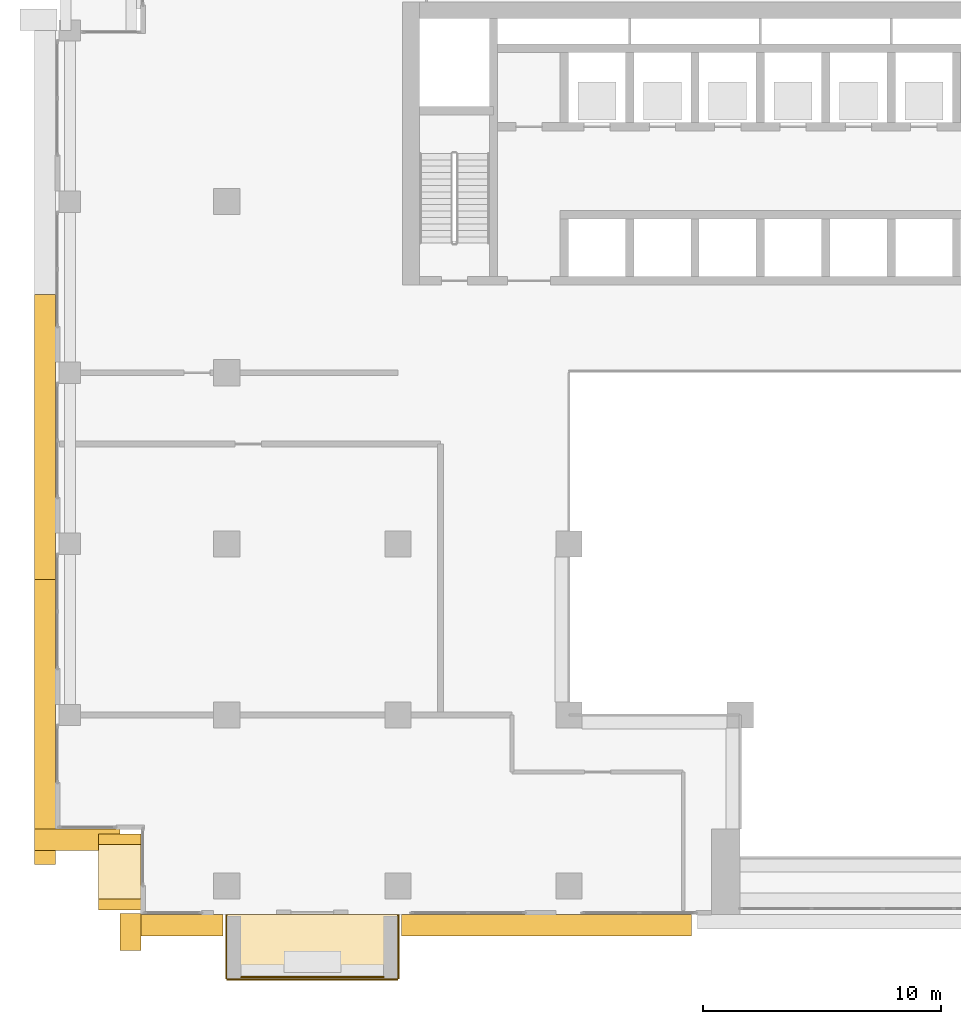
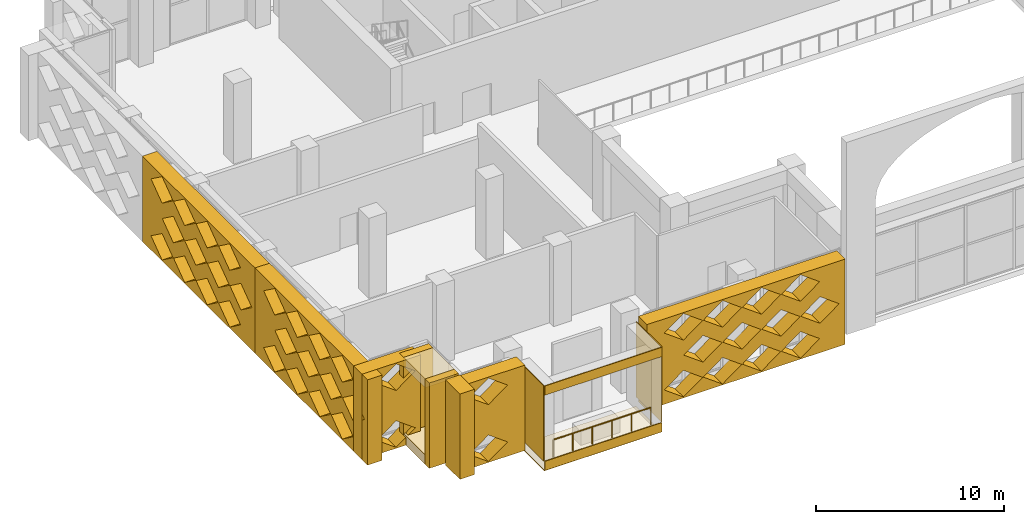
# One storey, part 18 of 25: 15 coverings, 1 railing.
"""IFC4 building model written with IfcOpenShell, lengths in metres."""

from ifc_helpers import new_model, si_unit, direction, frame, origin, origin_2d, place, context, subcontext, project, spatial, polyline, circle, outline, extrude, material, layer, layer_set, type_object, element, save


model = new_model("IFC4")

# Units and contexts
model_context = context("Model", 3, precision=1e-05, world=origin(), true_north=direction((0.0, 1.0)))
body_context = subcontext(model_context, "Body", "Model", "MODEL_VIEW")
ifc_project = project(units=[si_unit("LENGTHUNIT", "METRE"), si_unit("AREAUNIT", "SQUARE_METRE"), si_unit("VOLUMEUNIT", "CUBIC_METRE"), si_unit("PLANEANGLEUNIT", "RADIAN"), si_unit("MASSUNIT", "GRAM", prefix="KILO")], contexts=[model_context])

# Site, building, storey
site_placement = place(None, origin())
site = spatial("IfcSite", under=ifc_project, at=site_placement, CompositionType="ELEMENT")
building_placement = place(site_placement, origin())
building = spatial("IfcBuilding", under=site, at=building_placement, Name="Saffron Iwan Residences", CompositionType="ELEMENT")
storey_placement = place(building_placement, frame((0.0, 0.0, 137.5)))
storey = spatial("IfcBuildingStorey", under=building, at=storey_placement, Name="L36", CompositionType="ELEMENT", Elevation=137.5)

# Railing
ifc_material_1 = material(Name="Stainless steel 316", Category="steel")
railing_type = type_object("IfcRailingType", Name="BALCONY GUARD 1150", PredefinedType="GUARDRAIL", material=ifc_material_1)
railing_placement = place(storey_placement, frame((22.199951171875, 36.97509765625, 0.0)))
element("IfcRailing", 1, at=railing_placement, inside=storey, type_object=railing_type, Name="Balcony guard L36 11-0", PredefinedType="GUARDRAIL", context=body_context, shape_type="SweptSolid", body=[
    extrude(circle(Radius=0.02392578125, at=origin_2d()), frame((0.0, 0.0, 1.1259765625), z_axis=(1.0, 0.0, 0.0), x_axis=(0.0, 1.0, 0.0)), (0.0, 0.0, 1.0), 6.0),
    extrude(circle(Radius=0.02099609375, at=origin_2d()), origin(), (0.0, 0.0, 1.0), 1.101806640625),
    extrude(circle(Radius=0.02099609375, at=origin_2d()), frame((1.199951171875, 0.0, 0.0)), (0.0, 0.0, 1.0), 1.101806640625),
    extrude(circle(Radius=0.02099609375, at=origin_2d()), frame((2.39990234375, 0.0, 0.0)), (0.0, 0.0, 1.0), 1.101806640625),
    extrude(circle(Radius=0.02099609375, at=origin_2d()), frame((3.60009765625, 0.0, 0.0)), (0.0, 0.0, 1.0), 1.101806640625),
    extrude(circle(Radius=0.02099609375, at=origin_2d()), frame((4.800048828125, 0.0, 0.0)), (0.0, 0.0, 1.0), 1.101806640625),
    extrude(circle(Radius=0.02099609375, at=origin_2d()), frame((6.0, 0.0, 0.0)), (0.0, 0.0, 1.0), 1.101806640625),
])

# Coverings
ifc_material_2 = material(Name="Precast concrete C40/50 white painted", Category="concrete")
ifc_layer = layer(ifc_material_2, 0.050048828125)
ifc_layer_set = layer_set([ifc_layer], Name="Precast concrete C40/50 white painted")
covering_type_1 = type_object("IfcCoveringType", Name="FRAME SKIN PRECAST WHITE 50", PredefinedType="CLADDING", material=ifc_layer_set)
covering_1_placement = place(storey_placement, frame((0.0, 0.0, -0.60009765625)))
element("IfcCovering", 2, at=covering_1_placement, inside=storey, type_object=covering_type_1, Name="Frame skin slab edge L36 11-0", PredefinedType="CLADDING", context=body_context, shape_type="SweptSolid", body=[
    extrude(outline(polyline([(21.60009765625, 36.85009765625), (28.800048828125, 36.85009765625), (28.800048828125, 36.89990234375), (21.60009765625, 36.89990234375), (21.60009765625, 36.85009765625)])), origin(), (0.0, 0.0, 1.0), 0.60009765625),
])
covering_2_placement = place(storey_placement, frame((0.0, 0.0, 4.300048828125)))
element("IfcCovering", 3, at=covering_2_placement, inside=storey, type_object=covering_type_1, Name="Frame skin fascia L36 11-0", PredefinedType="CLADDING", context=body_context, shape_type="SweptSolid", body=[
    extrude(outline(polyline([(21.60009765625, 36.85009765625), (28.800048828125, 36.85009765625), (28.800048828125, 36.89990234375), (21.60009765625, 36.89990234375), (21.60009765625, 36.85009765625)])), origin(), (0.0, 0.0, 1.0), 0.599853515625),
])
covering_3_placement = place(storey_placement, frame((0.0, 0.0, -0.64990234375)))
element("IfcCovering", 4, at=covering_3_placement, inside=storey, type_object=covering_type_1, Name="Frame skin soffit L36 11-0", PredefinedType="CLADDING", context=body_context, shape_type="SweptSolid", body=[
    extrude(outline(polyline([(21.60009765625, 36.89990234375), (28.800048828125, 36.89990234375), (28.800048828125, 39.60009765625), (21.60009765625, 39.60009765625), (21.60009765625, 36.89990234375)])), origin(), (0.0, 0.0, 1.0), 0.0498046875),
])
covering_4_placement = place(storey_placement, origin())
element("IfcCovering", 5, at=covering_4_placement, inside=storey, type_object=covering_type_1, Name="Frame skin fin L36 11-0a", PredefinedType="CLADDING", context=body_context, shape_type="SweptSolid", body=[
    extrude(outline(polyline([(21.550048828125, 36.89990234375), (21.60009765625, 36.89990234375), (21.60009765625, 39.60009765625), (21.550048828125, 39.60009765625), (21.550048828125, 36.89990234375)])), origin(), (0.0, 0.0, 1.0), 4.89990234375),
])
covering_5_placement = place(storey_placement, origin())
element("IfcCovering", 6, at=covering_5_placement, inside=storey, type_object=covering_type_1, Name="Frame skin fin L36 11-0b", PredefinedType="CLADDING", context=body_context, shape_type="SweptSolid", body=[
    extrude(outline(polyline([(28.800048828125, 36.89990234375), (28.85009765625, 36.89990234375), (28.85009765625, 39.60009765625), (28.800048828125, 39.60009765625), (28.800048828125, 36.89990234375)])), origin(), (0.0, 0.0, 1.0), 4.89990234375),
])
ifc_material_3 = material(Name="Precast concrete C40/50", Category="concrete")
covering_type_2 = type_object("IfcCoveringType", Name="OUTER SKIN LATTICE SCREEN", PredefinedType="CLADDING", material=ifc_material_3)
covering_6_placement = place(storey_placement, frame((14.39990234375, 65.699951171875, -0.35009765625), z_axis=(-1.0, 0.0, 0.0), x_axis=(0.0, -1.0, 0.0)))
element("IfcCovering", 7, at=covering_6_placement, inside=storey, type_object=covering_type_2, Name="OUTER SKIN lattice screen L36 F8.1", PredefinedType="CLADDING", context=body_context, shape_type="SweptSolid", body=[
    extrude(outline(polyline([(0.0, 0.0), (12.0, 0.0), (12.0, 5.550048828125), (0.0, 5.550048828125), (0.0, 0.0)]), holes=[polyline([(0.919921875, 0.925048828125), (2.10009765625, 0.06005859375), (3.280029296875, 0.925048828125), (2.10009765625, 1.7900390625), (0.919921875, 0.925048828125)]), polyline([(3.320068359375, 0.925048828125), (4.5, 0.06005859375), (5.679931640625, 0.925048828125), (4.5, 1.7900390625), (3.320068359375, 0.925048828125)]), polyline([(5.719970703125, 0.925048828125), (6.89990234375, 0.06005859375), (8.080078125, 0.925048828125), (6.89990234375, 1.7900390625), (5.719970703125, 0.925048828125)]), polyline([(8.1201171875, 0.925048828125), (9.300048828125, 0.06005859375), (10.47998046875, 0.925048828125), (9.300048828125, 1.7900390625), (8.1201171875, 0.925048828125)]), polyline([(2.1201171875, 2.77490234375), (3.300048828125, 1.909912109375), (4.47998046875, 2.77490234375), (3.300048828125, 3.639892578125), (2.1201171875, 2.77490234375)]), polyline([(4.52001953125, 2.77490234375), (5.699951171875, 1.909912109375), (6.8798828125, 2.77490234375), (5.699951171875, 3.639892578125), (4.52001953125, 2.77490234375)]), polyline([(6.919921875, 2.77490234375), (8.10009765625, 1.909912109375), (9.280029296875, 2.77490234375), (8.10009765625, 3.639892578125), (6.919921875, 2.77490234375)]), polyline([(9.320068359375, 2.77490234375), (10.5, 1.909912109375), (11.679931640625, 2.77490234375), (10.5, 3.639892578125), (9.320068359375, 2.77490234375)]), polyline([(0.919921875, 4.625), (2.10009765625, 3.760009765625), (3.280029296875, 4.625), (2.10009765625, 5.489990234375), (0.919921875, 4.625)]), polyline([(3.320068359375, 4.625), (4.5, 3.760009765625), (5.679931640625, 4.625), (4.5, 5.489990234375), (3.320068359375, 4.625)]), polyline([(5.719970703125, 4.625), (6.89990234375, 3.760009765625), (8.080078125, 4.625), (6.89990234375, 5.489990234375), (5.719970703125, 4.625)]), polyline([(8.1201171875, 4.625), (9.300048828125, 3.760009765625), (10.47998046875, 4.625), (9.300048828125, 5.489990234375), (8.1201171875, 4.625)])]), origin(), (0.0, 0.0, 1.0), 0.89990234375),
])
covering_7_placement = place(storey_placement, frame((14.39990234375, 53.699951171875, -0.35009765625), z_axis=(-1.0, 0.0, 0.0), x_axis=(0.0, -1.0, 0.0)))
element("IfcCovering", 8, at=covering_7_placement, inside=storey, type_object=covering_type_2, Name="OUTER SKIN lattice screen L36 F8.2", PredefinedType="CLADDING", context=body_context, shape_type="SweptSolid", body=[
    extrude(outline(polyline([(0.0, 0.0), (12.0, 0.0), (12.0, 5.550048828125), (0.0, 5.550048828125), (0.0, 0.0)]), holes=[polyline([(0.919921875, 0.925048828125), (2.10009765625, 0.06005859375), (3.280029296875, 0.925048828125), (2.10009765625, 1.7900390625), (0.919921875, 0.925048828125)]), polyline([(3.320068359375, 0.925048828125), (4.5, 0.06005859375), (5.679931640625, 0.925048828125), (4.5, 1.7900390625), (3.320068359375, 0.925048828125)]), polyline([(5.719970703125, 0.925048828125), (6.89990234375, 0.06005859375), (8.080078125, 0.925048828125), (6.89990234375, 1.7900390625), (5.719970703125, 0.925048828125)]), polyline([(8.1201171875, 0.925048828125), (9.300048828125, 0.06005859375), (10.47998046875, 0.925048828125), (9.300048828125, 1.7900390625), (8.1201171875, 0.925048828125)]), polyline([(2.1201171875, 2.77490234375), (3.300048828125, 1.909912109375), (4.47998046875, 2.77490234375), (3.300048828125, 3.639892578125), (2.1201171875, 2.77490234375)]), polyline([(4.52001953125, 2.77490234375), (5.699951171875, 1.909912109375), (6.8798828125, 2.77490234375), (5.699951171875, 3.639892578125), (4.52001953125, 2.77490234375)]), polyline([(6.919921875, 2.77490234375), (8.10009765625, 1.909912109375), (9.280029296875, 2.77490234375), (8.10009765625, 3.639892578125), (6.919921875, 2.77490234375)]), polyline([(9.320068359375, 2.77490234375), (10.5, 1.909912109375), (11.679931640625, 2.77490234375), (10.5, 3.639892578125), (9.320068359375, 2.77490234375)]), polyline([(0.919921875, 4.625), (2.10009765625, 3.760009765625), (3.280029296875, 4.625), (2.10009765625, 5.489990234375), (0.919921875, 4.625)]), polyline([(3.320068359375, 4.625), (4.5, 3.760009765625), (5.679931640625, 4.625), (4.5, 5.489990234375), (3.320068359375, 4.625)]), polyline([(5.719970703125, 4.625), (6.89990234375, 3.760009765625), (8.080078125, 4.625), (6.89990234375, 5.489990234375), (5.719970703125, 4.625)]), polyline([(8.1201171875, 4.625), (9.300048828125, 3.760009765625), (10.47998046875, 4.625), (9.300048828125, 5.489990234375), (8.1201171875, 4.625)])]), origin(), (0.0, 0.0, 1.0), 0.89990234375),
])
covering_8_placement = place(storey_placement, frame((13.5, 43.199951171875, -0.35009765625), z_axis=(0.0, -1.0, 0.0), x_axis=(1.0, 0.0, 0.0)))
element("IfcCovering", 9, at=covering_8_placement, inside=storey, type_object=covering_type_2, Name="OUTER SKIN lattice screen L36 F9.0", PredefinedType="CLADDING", context=body_context, shape_type="SweptSolid", body=[
    extrude(outline(polyline([(0.0, 0.0), (3.60009765625, 0.0), (3.60009765625, 5.550048828125), (0.0, 5.550048828125), (0.0, 0.0)]), holes=[polyline([(0.919921875, 0.925048828125), (2.10009765625, 0.06005859375), (3.280029296875, 0.925048828125), (2.10009765625, 1.7900390625), (0.919921875, 0.925048828125)]), polyline([(0.919921875, 4.625), (2.10009765625, 3.760009765625), (3.280029296875, 4.625), (2.10009765625, 5.489990234375), (0.919921875, 4.625)])]), origin(), (0.0, 0.0, 1.0), 0.89990234375),
])
covering_9_placement = place(storey_placement, frame((18.0, 39.64990234375, -0.35009765625), z_axis=(-1.0, 0.0, 0.0), x_axis=(0.0, -1.0, 0.0)))
element("IfcCovering", 10, at=covering_9_placement, inside=storey, type_object=covering_type_2, Name="OUTER SKIN lattice screen L36 F10.0", PredefinedType="CLADDING", context=body_context, shape_type="SweptSolid", body=[
    extrude(outline(polyline([(0.0, 0.0), (1.550048828125, 0.0), (1.550048828125, 5.550048828125), (0.0, 5.550048828125), (0.0, 0.0)])), origin(), (0.0, 0.0, 1.0), 0.89990234375),
])
covering_10_placement = place(storey_placement, frame((17.10009765625, 39.60009765625, -0.35009765625), z_axis=(0.0, -1.0, 0.0), x_axis=(1.0, 0.0, 0.0)))
element("IfcCovering", 11, at=covering_10_placement, inside=storey, type_object=covering_type_2, Name="OUTER SKIN lattice screen L36 F11.0", PredefinedType="CLADDING", context=body_context, shape_type="SweptSolid", body=[
    extrude(outline(polyline([(0.0, 0.0), (4.35009765625, 0.0), (4.35009765625, 5.550048828125), (0.0, 5.550048828125), (0.0, 0.0)]), holes=[polyline([(0.919921875, 0.925048828125), (2.10009765625, 0.06005859375), (3.280029296875, 0.925048828125), (2.10009765625, 1.7900390625), (0.919921875, 0.925048828125)]), polyline([(0.919921875, 4.625), (2.10009765625, 3.760009765625), (3.280029296875, 4.625), (2.10009765625, 5.489990234375), (0.919921875, 4.625)])]), origin(), (0.0, 0.0, 1.0), 0.900146484375),
])
covering_11_placement = place(storey_placement, frame((28.949951171875, 39.60009765625, -0.35009765625), z_axis=(0.0, -1.0, 0.0), x_axis=(1.0, 0.0, 0.0)))
element("IfcCovering", 12, at=covering_11_placement, inside=storey, type_object=covering_type_2, Name="OUTER SKIN lattice screen L36 F11.1", PredefinedType="CLADDING", context=body_context, shape_type="SweptSolid", body=[
    extrude(outline(polyline([(0.0, 0.0), (12.199951171875, 0.0), (12.199951171875, 5.550048828125), (0.0, 5.550048828125), (0.0, 0.0)]), holes=[polyline([(1.070068359375, 0.925048828125), (2.25, 0.06005859375), (3.429931640625, 0.925048828125), (2.25, 1.7900390625), (1.070068359375, 0.925048828125)]), polyline([(3.469970703125, 0.925048828125), (4.64990234375, 0.06005859375), (5.830078125, 0.925048828125), (4.64990234375, 1.7900390625), (3.469970703125, 0.925048828125)]), polyline([(5.8701171875, 0.925048828125), (7.050048828125, 0.06005859375), (8.22998046875, 0.925048828125), (7.050048828125, 1.7900390625), (5.8701171875, 0.925048828125)]), polyline([(8.27001953125, 0.925048828125), (9.449951171875, 0.06005859375), (10.6298828125, 0.925048828125), (9.449951171875, 1.7900390625), (8.27001953125, 0.925048828125)]), polyline([(2.27001953125, 2.77490234375), (3.449951171875, 1.909912109375), (4.6298828125, 2.77490234375), (3.449951171875, 3.639892578125), (2.27001953125, 2.77490234375)]), polyline([(4.669921875, 2.77490234375), (5.85009765625, 1.909912109375), (7.030029296875, 2.77490234375), (5.85009765625, 3.639892578125), (4.669921875, 2.77490234375)]), polyline([(7.070068359375, 2.77490234375), (8.25, 1.909912109375), (9.429931640625, 2.77490234375), (8.25, 3.639892578125), (7.070068359375, 2.77490234375)]), polyline([(9.469970703125, 2.77490234375), (10.64990234375, 1.909912109375), (11.830078125, 2.77490234375), (10.64990234375, 3.639892578125), (9.469970703125, 2.77490234375)]), polyline([(1.070068359375, 4.625), (2.25, 3.760009765625), (3.429931640625, 4.625), (2.25, 5.489990234375), (1.070068359375, 4.625)]), polyline([(3.469970703125, 4.625), (4.64990234375, 3.760009765625), (5.830078125, 4.625), (4.64990234375, 5.489990234375), (3.469970703125, 4.625)]), polyline([(5.8701171875, 4.625), (7.050048828125, 3.760009765625), (8.22998046875, 4.625), (7.050048828125, 5.489990234375), (5.8701171875, 4.625)]), polyline([(8.27001953125, 4.625), (9.449951171875, 3.760009765625), (10.6298828125, 4.625), (9.449951171875, 5.489990234375), (8.27001953125, 4.625)])]), origin(), (0.0, 0.0, 1.0), 0.900146484375),
])
covering_type_3 = type_object("IfcCoveringType", Name="WHITE SUN FRAME PRECAST", PredefinedType="CLADDING", material=ifc_material_2)
for number, where, z_axis, x_axis, name in (
    (13, (18.0, 43.0, -0.35009765625), (-1.0, 0.0, 0.0), (0.0, -1.0, 0.0), "Sun frame L36 F10 0.2a"),
    (14, (18.0, 40.25, -0.35009765625), (-1.0, 0.0, 0.0), (0.0, -1.0, 0.0), "Sun frame L36 F10 0.2b"),
):
    element("IfcCovering", number, at=place(storey_placement, frame(where, z_axis=z_axis, x_axis=x_axis)), inside=storey, type_object=covering_type_3, Name=name, PredefinedType="CLADDING", context=body_context, shape_type="SweptSolid", body=[
        extrude(outline(polyline([(0.0, 0.0), (0.449951171875, 0.0), (0.449951171875, 5.550048828125), (0.0, 5.550048828125), (0.0, 0.0)])), origin(), (0.0, 0.0, 1.0), 1.800048828125),
    ])
for number, where, z_axis, x_axis, name in (
    (15, (18.0, 42.550048828125, 4.60009765625), (-1.0, 0.0, 0.0), (0.0, -1.0, 0.0), "Sun frame L36 F10 0.2h"),
    (16, (18.0, 42.550048828125, -0.35009765625), (-1.0, 0.0, 0.0), (0.0, -1.0, 0.0), "Sun frame L36 F10 0.2s"),
):
    element("IfcCovering", number, at=place(storey_placement, frame(where, z_axis=z_axis, x_axis=x_axis)), inside=storey, type_object=covering_type_3, Name=name, PredefinedType="CLADDING", context=body_context, shape_type="SweptSolid", body=[
        extrude(outline(polyline([(0.0, 0.0), (2.300048828125, 0.0), (2.300048828125, 0.60009765625), (0.0, 0.60009765625), (0.0, 0.0)])), origin(), (0.0, 0.0, 1.0), 1.800048828125),
    ])

save(model, "model.ifc")
